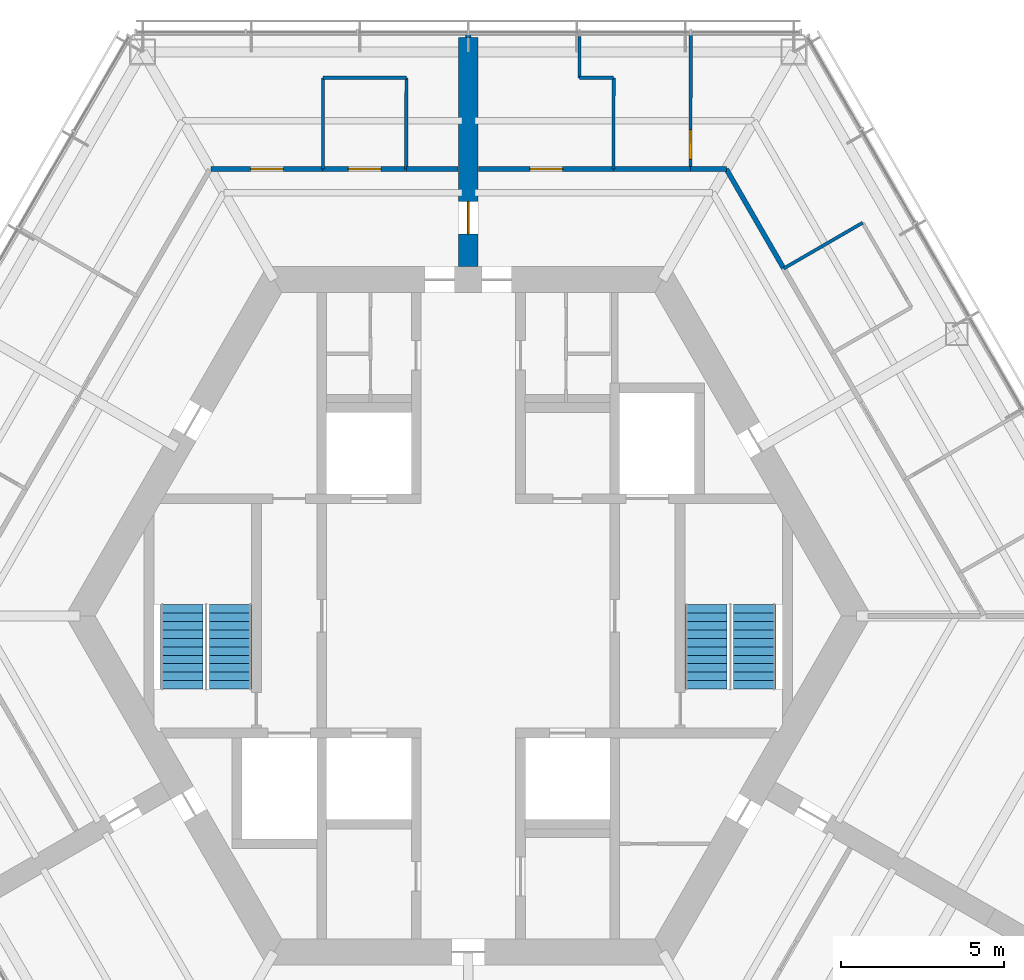
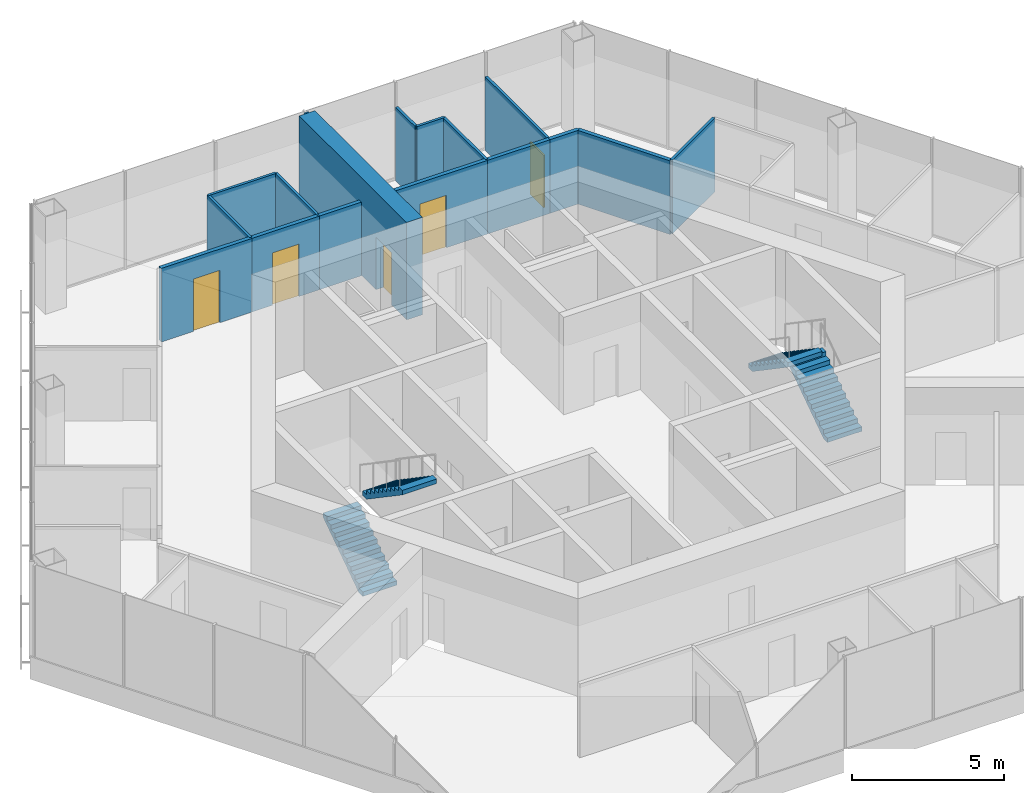
# One storey, part 10 of 13: 17 walls, 5 doors, 4 stair flights, 5 openings, 2 elements without a shape of their own.
"""IFC4 building model written with IfcOpenShell, lengths in metres."""

from ifc_helpers import new_model, si_unit, direction, frame, frame_2d, origin, place, context, subcontext, project, spatial, polyline, rectangle, outline, extrude, material, layer, layer_set, type_object, element, fill, aggregate, save


model = new_model("IFC4")

# Units and contexts
model_context = context("Model", 3, precision=1e-05, world=origin(), true_north=direction((0.0, 1.0)))
body_context = subcontext(model_context, "Body", "Model", "MODEL_VIEW")
ifc_project = project(units=[si_unit("LENGTHUNIT", "METRE"), si_unit("AREAUNIT", "SQUARE_METRE"), si_unit("VOLUMEUNIT", "CUBIC_METRE"), si_unit("PLANEANGLEUNIT", "RADIAN"), si_unit("MASSUNIT", "GRAM", prefix="KILO")], contexts=[model_context])

# Site, building, storey
site_placement = place(None, origin())
site = spatial("IfcSite", under=ifc_project, at=site_placement, CompositionType="ELEMENT")
building_placement = place(site_placement, origin())
building = spatial("IfcBuilding", under=site, at=building_placement, Name="Kasaneha Research Tower", CompositionType="ELEMENT")
storey_placement = place(building_placement, frame((0.0, 0.0, 275.199951171875)))
storey = spatial("IfcBuildingStorey", under=building, at=storey_placement, Name="L69", CompositionType="ELEMENT", Elevation=275.199951171875)

# Walls
ifc_material_1 = material(Name="Gypsum board on steel studs, one layer each side", Category="steel")
ifc_layer_1 = layer(ifc_material_1, 0.10009765625)
ifc_layer_set_1 = layer_set([ifc_layer_1], Name="Office partition 100")
wall_type_1 = type_object("IfcWallType", Name="Office partition 100", PredefinedType="PARTITIONING", material=ifc_layer_set_1)
wall_1_placement = place(storey_placement, frame((3.4150390625, 16.52490234375, 0.0), z_axis=(0.0, 0.0, 1.0), x_axis=(1.0, 0.0, 0.0)))
element("IfcWall", 1, at=wall_1_placement, inside=storey, type_object=wall_type_1, Name="Office partition FAE09 L69", PredefinedType="PARTITIONING", context=body_context, shape_type="SweptSolid", body=[
    extrude(rectangle(XDim=1.050048828125, YDim=0.10009765625, at=frame_2d((0.52490234375, 0.0))), origin(), (0.0, 0.0, 1.0), 2.949951171875),
])
wall_2_placement = place(storey_placement, frame((3.4150390625, 17.800537109375, 0.0), z_axis=(0.0, 0.0, 1.0), x_axis=(0.0, -1.0, 0.0)))
element("IfcWall", 2, at=wall_2_placement, inside=storey, type_object=wall_type_1, Name="Office partition FAE10 L69", PredefinedType="PARTITIONING", context=body_context, shape_type="SweptSolid", body=[
    extrude(rectangle(XDim=1.275634765625, YDim=0.10009765625, at=frame_2d((0.6376953125, 0.0))), origin(), (0.0, 0.0, 1.0), 2.949951171875),
])
wall_3_placement = place(storey_placement, frame((4.465087890625, 16.52490234375, 0.0), z_axis=(0.0, 0.0, 1.0), x_axis=(-0.00183117935, -0.99999832339, 0.0)))
element("IfcWall", 3, at=wall_3_placement, inside=storey, type_object=wall_type_1, Name="Office partition FAE11 L69", PredefinedType="PARTITIONING", context=body_context, shape_type="SweptSolid", body=[
    extrude(rectangle(XDim=2.7998046875, YDim=0.10009765625, at=frame_2d((1.39990234375, 0.0))), origin(), (0.0, 0.0, 1.0), 2.949951171875),
])
wall_4_placement = place(storey_placement, frame((9.6884765625, 10.669189453125, 0.0), z_axis=(0.0, 0.0, 1.0), x_axis=(0.865233198925, 0.501369635576, 0.0)))
element("IfcWall", 4, at=wall_4_placement, inside=storey, type_object=wall_type_1, Name="Office partition FAE12 L69", PredefinedType="PARTITIONING", context=body_context, shape_type="SweptSolid", body=[
    extrude(rectangle(XDim=2.800048828125, YDim=0.10009765625, at=frame_2d((1.39990234375, 0.0))), origin(), (0.0, 0.0, 1.0), 2.949951171875),
])

# Wall, opening, door
wall_5_placement = place(storey_placement, frame((6.8310546875, 17.83544921875, 0.0), z_axis=(0.0, 0.0, 1.0), x_axis=(-0.001128533375, -0.999999363206, 0.0)))
wall_5 = element("IfcWall", 5, at=wall_5_placement, inside=storey, type_object=wall_type_1, Name="Office partition FAE17 L69", PredefinedType="PARTITIONING", context=body_context, shape_type="SweptSolid", body=[
    extrude(rectangle(XDim=4.1103515625, YDim=0.10009765625, at=frame_2d((2.05517578125, 0.0))), origin(), (0.0, 0.0, 1.0), 2.949951171875),
])
opening_1_placement = place(wall_5_placement, frame((2.910400390625, 0.0, 0.0)))
opening_1 = element("IfcOpeningElement", 6, at=opening_1_placement, cuts=wall_5, Name="Opening L69-D31", PredefinedType="OPENING", context=body_context, shape_type="SweptSolid", body=[
    extrude(rectangle(XDim=0.89990234375, YDim=2.10009765625, at=frame_2d((0.449951171875, 1.050048828125))), frame((0.0, 0.06005859375, 0.0), z_axis=(0.0, -1.0, 0.0), x_axis=(1.0, 0.0, 0.0)), (0.0, 0.0, 1.0), 0.1201171875),
])
ifc_material_2 = material(Name="Timber veneer", Category="wood")
door_type_1 = type_object("IfcDoorType", Name="Office door 900x2100", OperationType="SINGLE_SWING_LEFT", PredefinedType="DOOR", material=ifc_material_2)
door_1_placement = place(opening_1_placement, origin())
door_1 = element("IfcDoor", 7, at=door_1_placement, inside=storey, type_object=door_type_1, Name="Manager's office door L69-D31", OperationType="SINGLE_SWING_RIGHT", OverallHeight=2.10009765625, OverallWidth=0.89990234375, PredefinedType="DOOR", context=body_context, shape_type="SweptSolid", body=[
    extrude(rectangle(XDim=0.89990234375, YDim=2.10009765625, at=frame_2d((0.449951171875, 1.050048828125))), frame((0.0, 0.02490234375, 0.0), z_axis=(0.0, -1.0, 0.0), x_axis=(1.0, 0.0, 0.0)), (0.0, 0.0, 1.0), 0.050048828125),
])
fill(opening_1, door_1)

# Walls
wall_6_placement = place(storey_placement, frame((-4.465087890625, 16.52490234375, 0.0), z_axis=(0.0, 0.0, 1.0), x_axis=(1.0, 0.0, 0.0)))
element("IfcWall", 8, at=wall_6_placement, inside=storey, type_object=wall_type_1, Name="Office partition FAW04 L69", PredefinedType="PARTITIONING", context=body_context, shape_type="SweptSolid", body=[
    extrude(rectangle(XDim=2.565185546875, YDim=0.10009765625, at=frame_2d((1.28271484375, 0.0))), origin(), (0.0, 0.0, 1.0), 2.949951171875),
])
for number, where, z_axis, x_axis, name in (
    (9, (-4.46044921875, 13.72509765625, 0.0), (0.0, 0.0, 1.0), (-0.001656781821, 0.999998627536, 0.0), "Office partition FAW05 L69"),
    (10, (-1.89990234375, 16.52490234375, 0.0), (0.0, 0.0, 1.0), (-0.001656781821, -0.999998627536, 0.0), "Office partition FAW06 L69"),
):
    element("IfcWall", number, at=place(storey_placement, frame(where, z_axis=z_axis, x_axis=x_axis)), inside=storey, type_object=wall_type_1, Name=name, PredefinedType="PARTITIONING", context=body_context, shape_type="SweptSolid", body=[
        extrude(rectangle(XDim=2.7998046875, YDim=0.10009765625, at=frame_2d((1.39990234375, 0.0))), origin(), (0.0, 0.0, 1.0), 2.949951171875),
    ])

# Wall, opening, door
ifc_material_3 = material(Name="Concrete Fc60", Category="concrete")
ifc_layer_2 = layer(ifc_material_3, 0.60009765625)
ifc_layer_set_2 = layer_set([ifc_layer_2], Name="Spine wall 600 Fc60")
wall_type_2 = type_object("IfcWallType", Name="Spine wall 600 Fc60", PredefinedType="SHEAR", material=ifc_layer_set_2)
wall_7_placement = place(storey_placement, frame((0.0, 10.72509765625, 0.0), z_axis=(0.0, 0.0, 1.0), x_axis=(0.0, 1.0, 0.0)))
wall_7 = element("IfcWall", 11, at=wall_7_placement, inside=storey, type_object=wall_type_2, Name="Spine wall A L69", PredefinedType="SHEAR", context=body_context, shape_type="SweptSolid", body=[
    extrude(rectangle(XDim=7.04541015625, YDim=0.60009765625, at=frame_2d((3.522705078125, 0.0))), origin(), (0.0, 0.0, 1.0), 3.900146484375),
])
opening_2_placement = place(wall_7_placement, frame((1.0, 0.0, 0.0)))
opening_2 = element("IfcOpeningElement", 12, at=opening_2_placement, cuts=wall_7, Name="Opening L69-D18", PredefinedType="OPENING", context=body_context, shape_type="SweptSolid", body=[
    extrude(rectangle(XDim=1.0, YDim=2.10009765625, at=frame_2d((0.5, 1.050048828125))), frame((0.0, 0.31005859375, 0.0), z_axis=(0.0, -1.0, 0.0), x_axis=(1.0, 0.0, 0.0)), (0.0, 0.0, 1.0), 0.6201171875),
])
ifc_material_4 = material(Name="Steel", Category="steel")
door_type_2 = type_object("IfcDoorType", Name="Specified fire door FD60 1000x2100", OperationType="NOTDEFINED", PredefinedType="DOOR", material=ifc_material_4)
door_2_placement = place(opening_2_placement, origin())
door_2 = element("IfcDoor", 13, at=door_2_placement, inside=storey, type_object=door_type_2, Name="Spine doorway A L69-D18", OperationType="SINGLE_SWING_LEFT", OverallHeight=2.10009765625, OverallWidth=1.0, PredefinedType="DOOR", context=body_context, shape_type="SweptSolid", body=[
    extrude(rectangle(XDim=1.0, YDim=2.10009765625, at=frame_2d((0.5, 1.050048828125))), frame((0.0, 0.02490234375, 0.0), z_axis=(0.0, -1.0, 0.0), x_axis=(1.0, 0.0, 0.0)), (0.0, 0.0, 1.0), 0.050048828125),
])
fill(opening_2, door_2)

ifc_material_5 = material(Name="Gypsum board on steel studs, two layers each side", Category="steel")
ifc_layer_3 = layer(ifc_material_5, 0.14990234375)
ifc_layer_set_3 = layer_set([ifc_layer_3], Name="Suite partition 150")
wall_type_3 = type_object("IfcWallType", Name="Suite partition 150", PredefinedType="PARTITIONING", material=ifc_layer_set_3)
wall_8_placement = place(storey_placement, frame((0.320068359375, 13.72509765625, 0.0), z_axis=(0.0, 0.0, 1.0), x_axis=(1.0, 0.0, 0.0)))
wall_8 = element("IfcWall", 14, at=wall_8_placement, inside=storey, type_object=wall_type_3, Name="Suite partition FAE01 L69", PredefinedType="PARTITIONING", context=body_context, shape_type="SweptSolid", body=[
    extrude(rectangle(XDim=4.14990234375, YDim=0.14990234375, at=frame_2d((2.074951171875, 0.0))), origin(), (0.0, 0.0, 1.0), 2.949951171875),
])
opening_3_placement = place(wall_8_placement, frame((1.574951171875, 0.0, 0.0)))
opening_3 = element("IfcOpeningElement", 15, at=opening_3_placement, cuts=wall_8, Name="Opening L69-D26", PredefinedType="OPENING", context=body_context, shape_type="SweptSolid", body=[
    extrude(rectangle(XDim=1.0, YDim=2.10009765625, at=frame_2d((0.5, 1.050048828125))), frame((0.0, 0.0849609375, 0.0), z_axis=(0.0, -1.0, 0.0), x_axis=(1.0, 0.0, 0.0)), (0.0, 0.0, 1.0), 0.169921875),
])
ifc_material_6 = material(Name="Steel", Category="steel")
door_type_3 = type_object("IfcDoorType", Name="Suite entrance door FD60 1000x2100", OperationType="NOTDEFINED", PredefinedType="DOOR", material=ifc_material_6)
door_3_placement = place(opening_3_placement, origin())
door_3 = element("IfcDoor", 16, at=door_3_placement, inside=storey, type_object=door_type_3, Name="Suite entrance door L69-D26", OperationType="SINGLE_SWING_RIGHT", OverallHeight=2.10009765625, OverallWidth=1.0, PredefinedType="DOOR", context=body_context, shape_type="SweptSolid", body=[
    extrude(rectangle(XDim=1.0, YDim=2.10009765625, at=frame_2d((0.5, 1.050048828125))), frame((0.0, 0.02490234375, 0.0), z_axis=(0.0, -1.0, 0.0), x_axis=(1.0, 0.0, 0.0)), (0.0, 0.0, 1.0), 0.050048828125),
])
fill(opening_3, door_3)

# Walls
wall_9_placement = place(storey_placement, frame((4.4599609375, 13.72509765625, 0.0), z_axis=(0.0, 0.0, 1.0), x_axis=(1.0, 0.0, 0.0)))
element("IfcWall", 17, at=wall_9_placement, inside=storey, type_object=wall_type_3, Name="Suite partition FAE04 L69", PredefinedType="PARTITIONING", context=body_context, shape_type="SweptSolid", body=[
    extrude(rectangle(XDim=2.3759765625, YDim=0.14990234375, at=frame_2d((1.18798828125, 0.0))), origin(), (0.0, 0.0, 1.0), 2.949951171875),
])
wall_10_placement = place(storey_placement, frame((6.826416015625, 13.72509765625, 0.0), z_axis=(0.0, 0.0, 1.0), x_axis=(1.0, 0.0, 0.0)))
element("IfcWall", 18, at=wall_10_placement, inside=storey, type_object=wall_type_3, Name="Suite partition FAE06 L69", PredefinedType="PARTITIONING", context=body_context, shape_type="SweptSolid", body=[
    extrude(rectangle(XDim=1.09765625, YDim=0.14990234375, at=frame_2d((0.548828125, 0.0))), origin(), (0.0, 0.0, 1.0), 2.949951171875),
])
wall_11_placement = place(storey_placement, frame((7.924072265625, 13.72509765625, 0.0), z_axis=(0.0, 0.0, 1.0), x_axis=(0.500015913693, -0.866016215815, 0.0)))
element("IfcWall", 19, at=wall_11_placement, inside=storey, type_object=wall_type_3, Name="Suite partition FAE07 L69", PredefinedType="PARTITIONING", context=body_context, shape_type="SweptSolid", body=[
    extrude(rectangle(XDim=3.52880859375, YDim=0.14990234375, at=frame_2d((1.764404296875, 0.0))), origin(), (0.0, 0.0, 1.0), 2.949951171875),
])

# Wall, opening, door
wall_12_placement = place(storey_placement, frame((-4.469970703125, 13.72509765625, 0.0), z_axis=(0.0, 0.0, 1.0), x_axis=(1.0, 0.0, 0.0)))
wall_12 = element("IfcWall", 20, at=wall_12_placement, inside=storey, type_object=wall_type_3, Name="Suite partition FAW01 L69", PredefinedType="PARTITIONING", context=body_context, shape_type="SweptSolid", body=[
    extrude(rectangle(XDim=2.574951171875, YDim=0.14990234375, at=frame_2d((1.28759765625, 0.0))), origin(), (0.0, 0.0, 1.0), 2.949951171875),
])
opening_4_placement = place(wall_12_placement, frame((0.78759765625, 0.0, 0.0)))
opening_4 = element("IfcOpeningElement", 21, at=opening_4_placement, cuts=wall_12, Name="Opening L69-D32", PredefinedType="OPENING", context=body_context, shape_type="SweptSolid", body=[
    extrude(rectangle(XDim=1.0, YDim=2.10009765625, at=frame_2d((0.5, 1.050048828125))), frame((0.0, 0.0849609375, 0.0), z_axis=(0.0, -1.0, 0.0), x_axis=(1.0, 0.0, 0.0)), (0.0, 0.0, 1.0), 0.169921875),
])
door_4_placement = place(opening_4_placement, origin())
door_4 = element("IfcDoor", 22, at=door_4_placement, inside=storey, type_object=door_type_3, Name="Suite entrance door L69-D32", OperationType="SINGLE_SWING_RIGHT", OverallHeight=2.10009765625, OverallWidth=1.0, PredefinedType="DOOR", context=body_context, shape_type="SweptSolid", body=[
    extrude(rectangle(XDim=1.0, YDim=2.10009765625, at=frame_2d((0.5, 1.050048828125))), frame((0.0, 0.02490234375, 0.0), z_axis=(0.0, -1.0, 0.0), x_axis=(1.0, 0.0, 0.0)), (0.0, 0.0, 1.0), 0.050048828125),
])
fill(opening_4, door_4)

wall_13_placement = place(storey_placement, frame((-7.90087890625, 13.72509765625, 0.0), z_axis=(0.0, 0.0, 1.0), x_axis=(1.0, 0.0, 0.0)))
wall_13 = element("IfcWall", 23, at=wall_13_placement, inside=storey, type_object=wall_type_3, Name="Suite partition FAW02 L69", PredefinedType="PARTITIONING", context=body_context, shape_type="SweptSolid", body=[
    extrude(rectangle(XDim=3.4404296875, YDim=0.14990234375, at=frame_2d((1.72021484375, 0.0))), origin(), (0.0, 0.0, 1.0), 2.949951171875),
])
opening_5_placement = place(wall_13_placement, frame((1.22021484375, 0.0, 0.0)))
opening_5 = element("IfcOpeningElement", 24, at=opening_5_placement, cuts=wall_13, Name="Opening L69-D33", PredefinedType="OPENING", context=body_context, shape_type="SweptSolid", body=[
    extrude(rectangle(XDim=1.0, YDim=2.10009765625, at=frame_2d((0.5, 1.050048828125))), frame((0.0, 0.0849609375, 0.0), z_axis=(0.0, -1.0, 0.0), x_axis=(1.0, 0.0, 0.0)), (0.0, 0.0, 1.0), 0.169921875),
])
door_5_placement = place(opening_5_placement, origin())
door_5 = element("IfcDoor", 25, at=door_5_placement, inside=storey, type_object=door_type_3, Name="Suite entrance door L69-D33", OperationType="SINGLE_SWING_RIGHT", OverallHeight=2.10009765625, OverallWidth=1.0, PredefinedType="DOOR", context=body_context, shape_type="SweptSolid", body=[
    extrude(rectangle(XDim=1.0, YDim=2.10009765625, at=frame_2d((0.5, 1.050048828125))), frame((0.0, 0.02490234375, 0.0), z_axis=(0.0, -1.0, 0.0), x_axis=(1.0, 0.0, 0.0)), (0.0, 0.0, 1.0), 0.050048828125),
])
fill(opening_5, door_5)

# Walls
wall_14_placement = place(storey_placement, frame((-1.904541015625, 13.72509765625, 0.0), z_axis=(0.0, 0.0, 1.0), x_axis=(1.0, 0.0, 0.0)))
element("IfcWall", 26, at=wall_14_placement, inside=storey, type_object=wall_type_3, Name="Suite partition FAW03 L69", PredefinedType="PARTITIONING", context=body_context, shape_type="SweptSolid", body=[
    extrude(rectangle(XDim=1.58447265625, YDim=0.14990234375, at=frame_2d((0.792236328125, 0.0))), origin(), (0.0, 0.0, 1.0), 2.949951171875),
])
ifc_material_7 = material(Name="Gypsum board on steel studs, two layers each side", Category="steel")
ifc_layer_4 = layer(ifc_material_7, 0.175048828125)
ifc_layer_set_4 = layer_set([ifc_layer_4], Name="Tenancy fire partition 175")
wall_type_4 = type_object("IfcWallType", Name="Tenancy fire partition 175", PredefinedType="PARTITIONING", material=ifc_layer_set_4)
wall_15_placement = place(storey_placement, frame((0.0, 17.7705078125, 0.0), z_axis=(0.0, 0.0, 1.0), x_axis=(0.0, 1.0, 0.0)))
element("IfcWall", 27, at=wall_15_placement, inside=storey, type_object=wall_type_4, Name="Spine wall closer SW4-600 L69", PredefinedType="PARTITIONING", context=body_context, shape_type="SweptSolid", body=[
    extrude(rectangle(XDim=0.06494140625, YDim=0.175048828125, at=frame_2d((0.032470703125, 0.0))), origin(), (0.0, 0.0, 1.0), 3.900146484375),
])

# Stair, stair flights
ifc_material_8 = material(Name="Concrete Fc24", Category="concrete")
stair_type = type_object("IfcStairType", Name="Half-turn stair 22 risers", PredefinedType="HALF_TURN_STAIR", material=ifc_material_8)
stair_1_placement = place(storey_placement, origin())
stair_1 = element("IfcStair", 28, at=stair_1_placement, inside=storey, type_object=stair_type, Name="Stair 1 L69", PredefinedType="HALF_TURN_STAIR")
ifc_material_9 = material(Name="Concrete Fc24", Category="concrete")
stair_flight_type = type_object("IfcStairFlightType", Name="Stair flight 11 risers 177.3", PredefinedType="STRAIGHT", material=ifc_material_9)
stair_flight_1_placement = place(storey_placement, frame((8.800048828125, -2.25, 0.0), z_axis=(0.0, 0.0, 1.0), x_axis=(0.0, 1.0, 0.0)))
stair_flight_1 = element("IfcStairFlight", 29, at=stair_flight_1_placement, type_object=stair_flight_type, Name="ST1-22R flight 1", NumberOfRisers=11, NumberOfTreads=10, PredefinedType="STRAIGHT", RiserHeight=0.177272727, TreadLength=0.26, context=body_context, shape_type="SweptSolid", body=[
    extrude(outline(polyline([(0.0, 0.0), (0.0, 0.17724609375), (0.260009765625, 0.17724609375), (0.260009765625, 0.3544921875), (0.52001953125, 0.3544921875), (0.52001953125, 0.53173828125), (0.780029296875, 0.53173828125), (0.780029296875, 0.708984375), (1.0400390625, 0.708984375), (1.0400390625, 0.886474609375), (1.300048828125, 0.886474609375), (1.300048828125, 1.063720703125), (1.56005859375, 1.063720703125), (1.56005859375, 1.240966796875), (1.820068359375, 1.240966796875), (1.820068359375, 1.418212890625), (2.080078125, 1.418212890625), (2.080078125, 1.595458984375), (2.340087890625, 1.595458984375), (2.340087890625, 1.772705078125), (2.60009765625, 1.772705078125), (2.60009765625, 1.949951171875), (2.60009765625, 1.59130859375), (0.26611328125, 0.0), (0.0, 0.0)])), frame((0.0, 0.64990234375, 0.0), z_axis=(0.0, -1.0, 0.0), x_axis=(1.0, 0.0, 0.0)), (0.0, 0.0, 1.0), 1.300048828125),
])
stair_flight_2_placement = place(storey_placement, frame((7.300048828125, 0.35009765625, 1.949951171875), z_axis=(0.0, 0.0, 1.0), x_axis=(0.0, -1.0, 0.0)))
stair_flight_2 = element("IfcStairFlight", 30, at=stair_flight_2_placement, type_object=stair_flight_type, Name="ST1-22R flight 2", NumberOfRisers=11, NumberOfTreads=10, PredefinedType="STRAIGHT", RiserHeight=0.177272727, TreadLength=0.26, context=body_context, shape_type="SweptSolid", body=[
    extrude(outline(polyline([(0.0, 0.0), (0.0, 0.17724609375), (0.260009765625, 0.17724609375), (0.260009765625, 0.3544921875), (0.52001953125, 0.3544921875), (0.52001953125, 0.53173828125), (0.780029296875, 0.53173828125), (0.780029296875, 0.708984375), (1.0400390625, 0.708984375), (1.0400390625, 0.886474609375), (1.300048828125, 0.886474609375), (1.300048828125, 1.063720703125), (1.56005859375, 1.063720703125), (1.56005859375, 1.240966796875), (1.820068359375, 1.240966796875), (1.820068359375, 1.418212890625), (2.080078125, 1.418212890625), (2.080078125, 1.595458984375), (2.340087890625, 1.595458984375), (2.340087890625, 1.772705078125), (2.60009765625, 1.772705078125), (2.60009765625, 1.949951171875), (2.60009765625, 1.59130859375), (0.26611328125, 0.0), (0.0, 0.0)])), frame((0.0, 0.64990234375, 0.0), z_axis=(0.0, -1.0, 0.0), x_axis=(1.0, 0.0, 0.0)), (0.0, 0.0, 1.0), 1.300048828125),
])
aggregate(stair_1, [stair_flight_1, stair_flight_2])

stair_2_placement = place(storey_placement, origin())
stair_2 = element("IfcStair", 31, at=stair_2_placement, inside=storey, type_object=stair_type, Name="Stair 2 L69", PredefinedType="HALF_TURN_STAIR")
stair_flight_3_placement = place(storey_placement, frame((-8.800048828125, -2.25, 0.0), z_axis=(0.0, 0.0, 1.0), x_axis=(0.0, 1.0, 0.0)))
stair_flight_3 = element("IfcStairFlight", 32, at=stair_flight_3_placement, type_object=stair_flight_type, Name="ST2-22R flight 1", NumberOfRisers=11, NumberOfTreads=10, PredefinedType="STRAIGHT", RiserHeight=0.177272727, TreadLength=0.26, context=body_context, shape_type="SweptSolid", body=[
    extrude(outline(polyline([(0.0, 0.0), (0.0, 0.17724609375), (0.260009765625, 0.17724609375), (0.260009765625, 0.3544921875), (0.52001953125, 0.3544921875), (0.52001953125, 0.53173828125), (0.780029296875, 0.53173828125), (0.780029296875, 0.708984375), (1.0400390625, 0.708984375), (1.0400390625, 0.886474609375), (1.300048828125, 0.886474609375), (1.300048828125, 1.063720703125), (1.56005859375, 1.063720703125), (1.56005859375, 1.240966796875), (1.820068359375, 1.240966796875), (1.820068359375, 1.418212890625), (2.080078125, 1.418212890625), (2.080078125, 1.595458984375), (2.340087890625, 1.595458984375), (2.340087890625, 1.772705078125), (2.60009765625, 1.772705078125), (2.60009765625, 1.949951171875), (2.60009765625, 1.59130859375), (0.26611328125, 0.0), (0.0, 0.0)])), frame((0.0, 0.64990234375, 0.0), z_axis=(0.0, -1.0, 0.0), x_axis=(1.0, 0.0, 0.0)), (0.0, 0.0, 1.0), 1.300048828125),
])
stair_flight_4_placement = place(storey_placement, frame((-7.300048828125, 0.35009765625, 1.949951171875), z_axis=(0.0, 0.0, 1.0), x_axis=(0.0, -1.0, 0.0)))
stair_flight_4 = element("IfcStairFlight", 33, at=stair_flight_4_placement, type_object=stair_flight_type, Name="ST2-22R flight 2", NumberOfRisers=11, NumberOfTreads=10, PredefinedType="STRAIGHT", RiserHeight=0.177272727, TreadLength=0.26, context=body_context, shape_type="SweptSolid", body=[
    extrude(outline(polyline([(0.0, 0.0), (0.0, 0.17724609375), (0.260009765625, 0.17724609375), (0.260009765625, 0.3544921875), (0.52001953125, 0.3544921875), (0.52001953125, 0.53173828125), (0.780029296875, 0.53173828125), (0.780029296875, 0.708984375), (1.0400390625, 0.708984375), (1.0400390625, 0.886474609375), (1.300048828125, 0.886474609375), (1.300048828125, 1.063720703125), (1.56005859375, 1.063720703125), (1.56005859375, 1.240966796875), (1.820068359375, 1.240966796875), (1.820068359375, 1.418212890625), (2.080078125, 1.418212890625), (2.080078125, 1.595458984375), (2.340087890625, 1.595458984375), (2.340087890625, 1.772705078125), (2.60009765625, 1.772705078125), (2.60009765625, 1.949951171875), (2.60009765625, 1.59130859375), (0.26611328125, 0.0), (0.0, 0.0)])), frame((0.0, 0.64990234375, 0.0), z_axis=(0.0, -1.0, 0.0), x_axis=(1.0, 0.0, 0.0)), (0.0, 0.0, 1.0), 1.300048828125),
])
aggregate(stair_2, [stair_flight_3, stair_flight_4])

save(model, "model.ifc")
